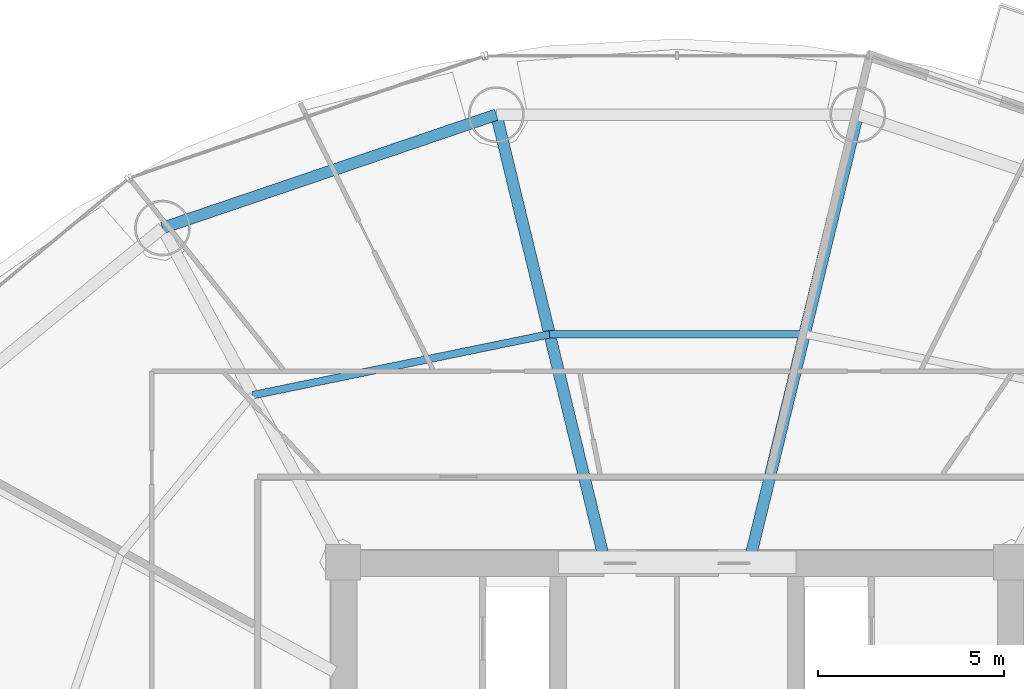
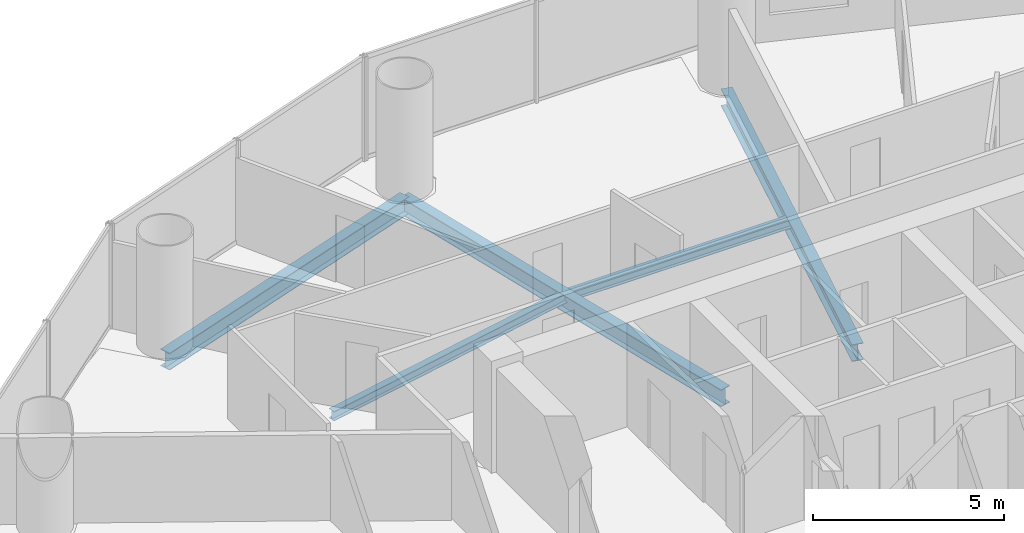
# One storey, part 16 of 28: 5 beams.
"""IFC4 building model written with IfcOpenShell, lengths in metres."""

from ifc_helpers import new_model, si_unit, direction, frame, origin, origin_2d, place, context, subcontext, project, spatial, i_section, extrude, material, material_profile, profile_set, type_object, element, save


model = new_model("IFC4")

# Units and contexts
model_context = context("Model", 3, precision=1e-05, world=origin(), true_north=direction((-0.2419218956, 0.970295726276)))
body_context = subcontext(model_context, "Body", "Model", "MODEL_VIEW")
ifc_project = project(units=[si_unit("LENGTHUNIT", "METRE"), si_unit("AREAUNIT", "SQUARE_METRE"), si_unit("VOLUMEUNIT", "CUBIC_METRE"), si_unit("PLANEANGLEUNIT", "RADIAN"), si_unit("MASSUNIT", "GRAM", prefix="KILO")], contexts=[model_context])

# Site, building, storey
site_placement = place(None, origin())
site = spatial("IfcSite", under=ifc_project, at=site_placement, CompositionType="ELEMENT")
building_placement = place(site_placement, origin())
building = spatial("IfcBuilding", under=site, at=building_placement, Name="Cobrevalo Terracotta Tower", CompositionType="ELEMENT")
storey_placement = place(building_placement, frame((0.0, 0.0, 101.39990234375)))
storey = spatial("IfcBuildingStorey", under=building, at=storey_placement, Name="L26", CompositionType="ELEMENT", Elevation=101.39990234375)

# Beams
ifc_material = material(Name="Steel S355", Category="steel")
ifc_material_profile_1 = material_profile(ifc_material, i_section(OverallWidth=0.31201171875, OverallDepth=0.54296875, WebThickness=0.0126953125, FlangeThickness=0.020263671875, at=origin_2d()), Name="W 530x150")
ifc_profile_set_1 = profile_set([ifc_material_profile_1], Name="Steel S355")
beam_type_1 = type_object("IfcBeamType", Name="Structural Beam W 530x150 (Steel S355)", PredefinedType="BEAM", material=ifc_profile_set_1)
for number, where, z_axis, x_axis, name in (
    (1, (42.867431640625, 46.857177734375, -0.54638671875), (-0.235827379387, -0.971794961467, 0.0), (0.971794961467, -0.235827379387, 0.0), "L26 radial floor girder 04"),
    (2, (33.132568359375, 46.857177734375, -0.54638671875), (0.235827379387, -0.971794961467, 0.0), (0.971794961467, 0.235827379387, 0.0), "L26 radial floor girder 05"),
):
    element("IfcBeam", number, at=place(storey_placement, frame(where, z_axis=z_axis, x_axis=x_axis)), inside=storey, type_object=beam_type_1, Name=name, PredefinedType="BEAM", context=body_context, shape_type="SweptSolid", body=[
        extrude(i_section(OverallWidth=0.31201171875, OverallDepth=0.54296875, WebThickness=0.0126953125, FlangeThickness=0.020263671875, at=origin_2d()), origin(), (0.0, 0.0, 1.0), 12.17041015625),
    ])
ifc_material_profile_2 = material_profile(ifc_material, i_section(OverallWidth=0.2041015625, OverallDepth=0.305908203125, WebThickness=0.008544921875, FlangeThickness=0.0146484375, at=origin_2d()), Name="W 310x67")
ifc_profile_set_2 = profile_set([ifc_material_profile_2], Name="Steel S355")
beam_type_2 = type_object("IfcBeamType", Name="Structural Joist W 310x67 (Steel S355)", PredefinedType="JOIST", material=ifc_profile_set_2)
beam_1_placement = place(storey_placement, frame((41.432373046875, 40.943603515625, -0.427978515625), z_axis=(-1.0, 0.0, 0.0), x_axis=(0.0, -1.0, 0.0)))
element("IfcBeam", 3, at=beam_1_placement, inside=storey, type_object=beam_type_2, Name="L26 circumferential secondary floor joist 04", PredefinedType="JOIST", context=body_context, shape_type="SweptSolid", body=[
    extrude(i_section(OverallWidth=0.2041015625, OverallDepth=0.305908203125, WebThickness=0.008544921875, FlangeThickness=0.0146484375, at=origin_2d()), origin(), (0.0, 0.0, 1.0), 6.86474609375),
])
beam_2_placement = place(storey_placement, frame((34.567626953125, 40.943603515625, -0.427978515625), z_axis=(-0.979574469315, -0.201081722357, 0.0), x_axis=(0.201081722357, -0.979574469315, 0.0)))
element("IfcBeam", 4, at=beam_2_placement, inside=storey, type_object=beam_type_2, Name="L26 circumferential secondary floor joist 05", PredefinedType="JOIST", context=body_context, shape_type="SweptSolid", body=[
    extrude(i_section(OverallWidth=0.2041015625, OverallDepth=0.305908203125, WebThickness=0.008544921875, FlangeThickness=0.0146484375, at=origin_2d()), origin(), (0.0, 0.0, 1.0), 8.1650390625),
])
ifc_material_profile_3 = material_profile(ifc_material, i_section(OverallWidth=0.31201171875, OverallDepth=0.54296875, WebThickness=0.0126953125, FlangeThickness=0.020263671875, at=origin_2d()), Name="W 530x150")
ifc_profile_set_3 = profile_set([ifc_material_profile_3], Name="Steel S355")
beam_type_3 = type_object("IfcBeamType", Name="Structural Spandrel W 530x150 (Steel S355)", PredefinedType="SPANDREL", material=ifc_profile_set_3)
beam_3_placement = place(storey_placement, frame((33.132568359375, 46.857177734375, -0.54638671875), z_axis=(-0.946910528816, -0.32149720126, 0.0), x_axis=(0.32149720126, -0.946910528816, 0.0)))
element("IfcBeam", 5, at=beam_3_placement, inside=storey, type_object=beam_type_3, Name="L26 perimeter ring spandrel 05", PredefinedType="SPANDREL", context=body_context, shape_type="SweptSolid", body=[
    extrude(i_section(OverallWidth=0.31201171875, OverallDepth=0.54296875, WebThickness=0.0126953125, FlangeThickness=0.020263671875, at=origin_2d()), origin(), (0.0, 0.0, 1.0), 9.498291015625),
])

save(model, "model.ifc")
